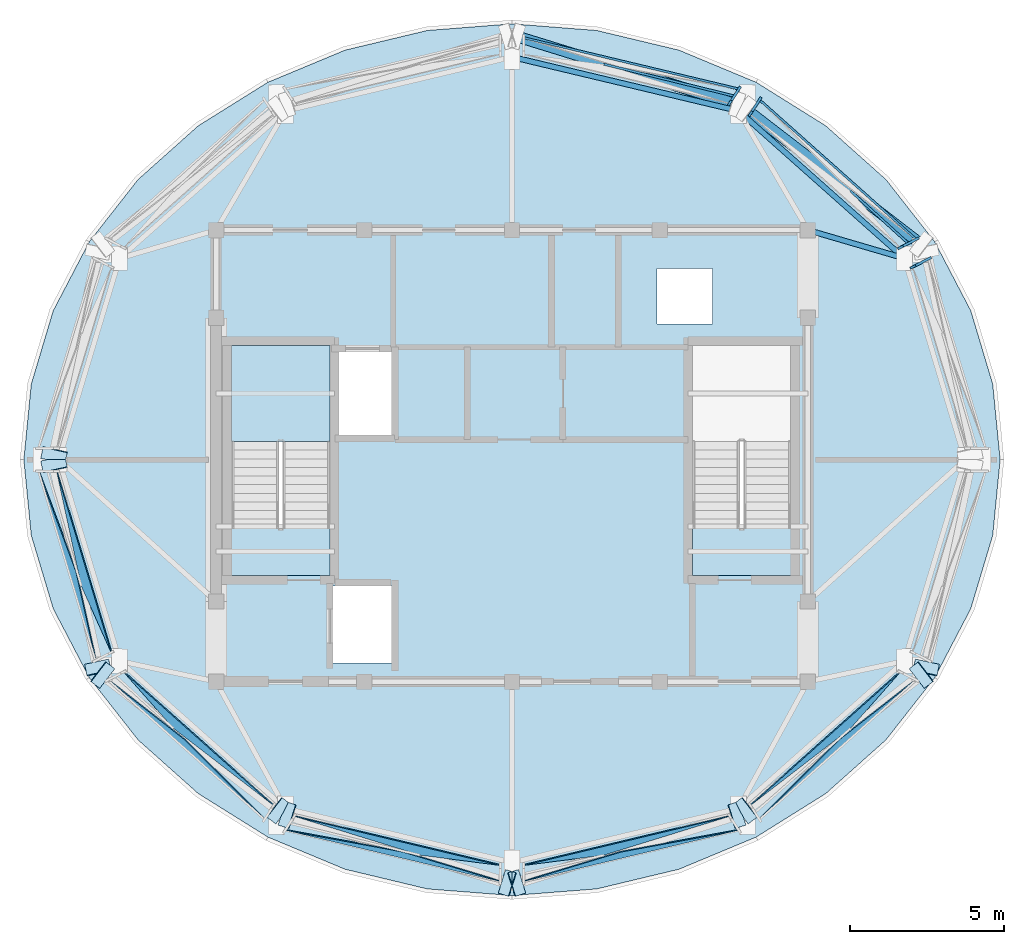
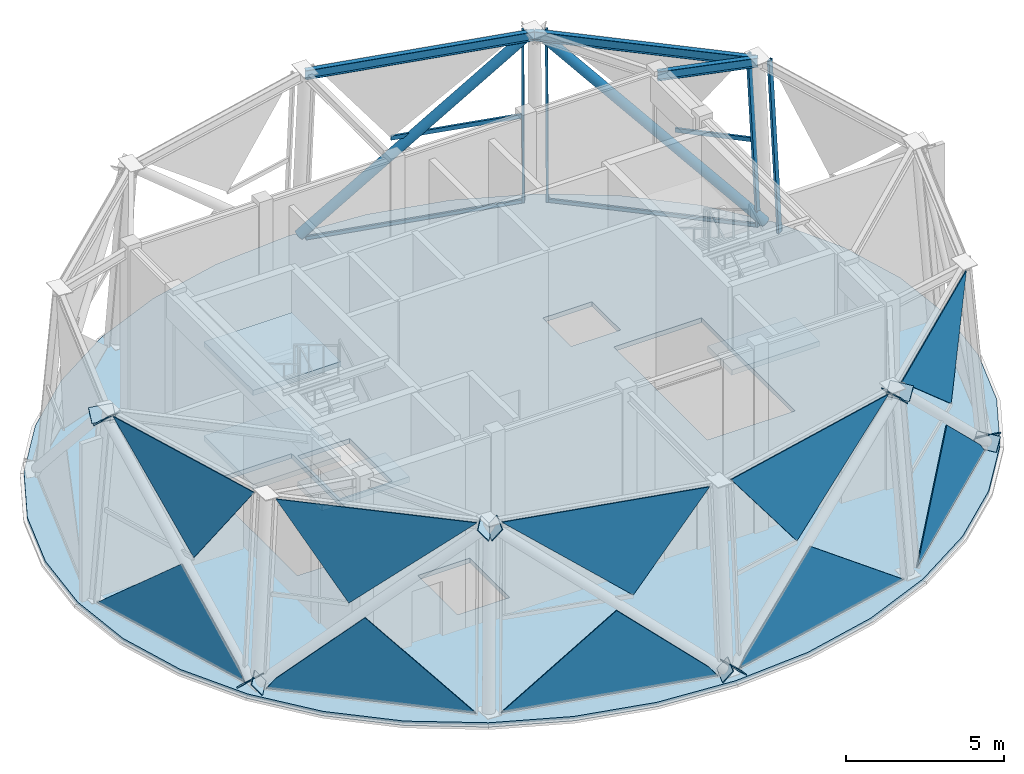
# One storey, part 3 of 8: 22 plates, 10 members, 5 slabs, 3 beams, 10 elements without a shape of their own.
"""IFC4 building model written with IfcOpenShell, lengths in metres."""

from ifc_helpers import new_model, si_unit, direction, frame, origin, origin_2d, place, context, subcontext, project, spatial, polyline, hollow_rectangle, hollow_circle, i_section, outline, extrude, material, layer, layer_set, material_profile, profile_set, type_object, element, aggregate, save


model = new_model("IFC4")

# Units and contexts
model_context = context("Model", 3, precision=1e-05, world=origin(), true_north=direction((0.0, 1.0)))
body_context = subcontext(model_context, "Body", "Model", "MODEL_VIEW")
ifc_project = project(units=[si_unit("LENGTHUNIT", "METRE"), si_unit("AREAUNIT", "SQUARE_METRE"), si_unit("VOLUMEUNIT", "CUBIC_METRE"), si_unit("PLANEANGLEUNIT", "RADIAN"), si_unit("MASSUNIT", "GRAM", prefix="KILO")], contexts=[model_context])

# Site, building, storey
site_placement = place(None, origin())
site = spatial("IfcSite", under=ifc_project, at=site_placement, CompositionType="ELEMENT")
building_placement = place(site_placement, origin())
building = spatial("IfcBuilding", under=site, at=building_placement, Name="Vantalir Tower", CompositionType="ELEMENT")
storey_placement = place(building_placement, frame((0.0, 0.0, 326.25)))
storey = spatial("IfcBuildingStorey", under=building, at=storey_placement, Name="L79", CompositionType="ELEMENT", Elevation=326.25)

# Beams
ifc_material_1 = material(Name="Steel S460", Category="steel")
ifc_material_profile_1 = material_profile(ifc_material_1, i_section(OverallWidth=0.172119140625, OverallDepth=0.35791015625, WebThickness=0.008056640625, FlangeThickness=0.012939453125, at=origin_2d()), Name="Steel S460")
ifc_profile_set_1 = profile_set([ifc_material_profile_1], Name="Steel S460")
beam_type = type_object("IfcBeamType", Name="BM-RB-356x171", PredefinedType="BEAM", material=ifc_profile_set_1)
beam_1_placement = place(storey_placement, frame((44.23095703125, 31.532958984375, 6.89111328125), z_axis=(-0.747351309461, 0.664429093468, 0.0), x_axis=(-0.664429093468, -0.747351309461, 0.0)))
element("IfcBeam", 1, at=beam_1_placement, inside=storey, type_object=beam_type, Name="L79 Circumferential Ring Girder 02", PredefinedType="BEAM", context=body_context, shape_type="SweptSolid", body=[
    extrude(i_section(OverallWidth=0.172119140625, OverallDepth=0.35791015625, WebThickness=0.008056640625, FlangeThickness=0.012939453125, at=origin_2d()), origin(), (0.0, 0.0, 1.0), 7.198486328125),
])
beam_2_placement = place(storey_placement, frame((44.23095703125, 31.532958984375, 6.89111328125), z_axis=(-0.95968424672, 0.281080320546, 0.0), x_axis=(-0.281080320546, -0.95968424672, 0.0)))
element("IfcBeam", 2, at=beam_2_placement, inside=storey, type_object=beam_type, Name="L79 Radial Floor Beam 02", PredefinedType="BEAM", context=body_context, shape_type="SweptSolid", body=[
    extrude(i_section(OverallWidth=0.172119140625, OverallDepth=0.35791015625, WebThickness=0.008056640625, FlangeThickness=0.012939453125, at=origin_2d()), origin(), (0.0, 0.0, 1.0), 3.262451171875),
])
beam_3_placement = place(storey_placement, frame((38.85107421875, 36.31591796875, 6.89111328125), z_axis=(-0.972784718253, 0.231710793733, 0.0), x_axis=(-0.231710793733, -0.972784718253, 0.0)))
element("IfcBeam", 3, at=beam_3_placement, inside=storey, type_object=beam_type, Name="L79 Circumferential Ring Girder 03", PredefinedType="BEAM", context=body_context, shape_type="SweptSolid", body=[
    extrude(i_section(OverallWidth=0.172119140625, OverallDepth=0.35791015625, WebThickness=0.008056640625, FlangeThickness=0.012939453125, at=origin_2d()), origin(), (0.0, 0.0, 1.0), 7.556640625),
])

# Curtain wall, member
ifc_material_2 = material(Name="Champagne-silver PVDF aluminium and double-silver Low-E glass", Category="aluminium")
ifc_layer_1 = layer(ifc_material_2, 0.25)
ifc_layer_set_1 = layer_set([ifc_layer_1], Name="Champagne-silver PVDF aluminium and double-silver Low-E glass")
curtain_wall_type = type_object("IfcCurtainWallType", Name="CW-CROWN-PT", PredefinedType="USERDEFINED", material=ifc_layer_set_1)
curtain_wall_1_placement = place(storey_placement, origin())
curtain_wall_1 = element("IfcCurtainWall", 4, at=curtain_wall_1_placement, inside=storey, type_object=curtain_wall_type, Name="L79 Quilted Pyramid-Diamond Curtain Wall S01", ObjectType="UNITISED CURTAIN WALL", PredefinedType="USERDEFINED")
ifc_material_3 = material(Name="Champagne-silver PVDF aluminium 6063-T6", Category="aluminium")
ifc_material_profile_2 = material_profile(ifc_material_3, hollow_rectangle(XDim=0.080078125, YDim=0.199951171875, WallThickness=0.0048828125, at=origin_2d()), Name="Champagne-silver PVDF aluminium 6063-T6")
ifc_profile_set_2 = profile_set([ifc_material_profile_2], Name="Champagne-silver PVDF aluminium 6063-T6")
member_type_1 = type_object("IfcMemberType", Name="CWM-200x80", PredefinedType="MULLION", material=ifc_profile_set_2)
member_1_placement = place(storey_placement, frame((45.01611328125, 31.51708984375, 0.044921875), z_axis=(-0.072544735514, -0.03744019507, 0.996662176037), x_axis=(0.458621165042, -0.888631884965, 0.0)))
member_1 = element("IfcMember", 5, at=member_1_placement, type_object=member_type_1, Name="CW-L79-S01 Mullion 2", PredefinedType="MULLION", context=body_context, shape_type="SweptSolid", body=[
    extrude(hollow_rectangle(XDim=0.080078125, YDim=0.199951171875, WallThickness=0.0048828125, at=origin_2d()), origin(), (0.0, 0.0, 1.0), 7.00341796875),
])
aggregate(curtain_wall_1, [member_1])

# Curtain wall, members
curtain_wall_2_placement = place(storey_placement, origin())
curtain_wall_2 = element("IfcCurtainWall", 6, at=curtain_wall_2_placement, inside=storey, type_object=curtain_wall_type, Name="L79 Quilted Pyramid-Diamond Curtain Wall S02", ObjectType="UNITISED CURTAIN WALL", PredefinedType="USERDEFINED")
member_2_placement = place(storey_placement, frame((44.613037109375, 32.14892578125, 0.044921875), z_axis=(-0.072544830154, -0.037405383352, 0.996663476262), x_axis=(0.4582838613, -0.888805885709, 0.0)))
member_2 = element("IfcMember", 7, at=member_2_placement, type_object=member_type_1, Name="CW-L79-S02 Mullion 1", PredefinedType="MULLION", context=body_context, shape_type="SweptSolid", body=[
    extrude(hollow_rectangle(XDim=0.080078125, YDim=0.199951171875, WallThickness=0.0048828125, at=origin_2d()), origin(), (0.0, 0.0, 1.0), 7.00341796875),
])
member_3_placement = place(storey_placement, frame((39.530029296875, 36.676025390625, 0.044921875), z_axis=(-0.041847483716, -0.06486359976, 0.997016299532), x_axis=(0.840296648224, -0.542126869822, 0.0)))
member_3 = element("IfcMember", 8, at=member_3_placement, type_object=member_type_1, Name="CW-L79-S02 Mullion 2", PredefinedType="MULLION", context=body_context, shape_type="SweptSolid", body=[
    extrude(hollow_rectangle(XDim=0.080078125, YDim=0.199951171875, WallThickness=0.0048828125, at=origin_2d()), origin(), (0.0, 0.0, 1.0), 7.0009765625),
])

# Curtain wall, member
curtain_wall_3_placement = place(storey_placement, origin())
curtain_wall_3 = element("IfcCurtainWall", 9, at=curtain_wall_3_placement, inside=storey, type_object=curtain_wall_type, Name="L79 Quilted Pyramid-Diamond Curtain Wall S03", ObjectType="UNITISED CURTAIN WALL", PredefinedType="USERDEFINED")
member_4_placement = place(storey_placement, frame((38.860107421875, 37.02490234375, 0.044921875), z_axis=(-0.041882390185, -0.064828778812, 0.997017098565), x_axis=(0.839957858415, -0.542651634188, 0.0)))
member_4 = element("IfcMember", 10, at=member_4_placement, type_object=member_type_1, Name="CW-L79-S03 Mullion 1", PredefinedType="MULLION", context=body_context, shape_type="SweptSolid", body=[
    extrude(hollow_rectangle(XDim=0.080078125, YDim=0.199951171875, WallThickness=0.0048828125, at=origin_2d()), origin(), (0.0, 0.0, 1.0), 7.0009765625),
])

# Member
ifc_material_profile_3 = material_profile(ifc_material_3, hollow_rectangle(XDim=0.070068359375, YDim=0.139892578125, WallThickness=0.00390625, at=origin_2d()), Name="Champagne-silver PVDF aluminium 6063-T6")
ifc_profile_set_3 = profile_set([ifc_material_profile_3], Name="Champagne-silver PVDF aluminium 6063-T6")
member_type_2 = type_object("IfcMemberType", Name="CWT-140x70", PredefinedType="USERDEFINED", material=ifc_profile_set_3)
member_5_placement = place(storey_placement, frame((44.613037109375, 32.14892578125, 0.054931640625), z_axis=(-0.746761864531, 0.665091510758, 0.0), x_axis=(-0.665091510758, -0.746761864531, 0.0)))
member_5 = element("IfcMember", 11, at=member_5_placement, type_object=member_type_2, Name="CW-L79-S02 Sill Transom", ObjectType="TRANSOM", PredefinedType="USERDEFINED", context=body_context, shape_type="SweptSolid", body=[
    extrude(hollow_rectangle(XDim=0.070068359375, YDim=0.139892578125, WallThickness=0.00390625, at=origin_2d()), origin(), (0.0, 0.0, 1.0), 6.806640625),
])

member_6_placement = place(storey_placement, frame((38.860107421875, 37.02490234375, 0.054931640625), z_axis=(-0.972686006205, 0.232124822743, 0.0), x_axis=(-0.232124822743, -0.972686006205, 0.0)))
member_6 = element("IfcMember", 12, at=member_6_placement, type_object=member_type_2, Name="CW-L79-S03 Sill Transom", ObjectType="TRANSOM", PredefinedType="USERDEFINED", context=body_context, shape_type="SweptSolid", body=[
    extrude(hollow_rectangle(XDim=0.070068359375, YDim=0.139892578125, WallThickness=0.00390625, at=origin_2d()), origin(), (0.0, 0.0, 1.0), 7.17724609375),
])

ifc_material_profile_4 = material_profile(ifc_material_3, hollow_rectangle(XDim=0.074951171875, YDim=0.159912109375, WallThickness=0.00390625, at=origin_2d()), Name="Champagne-silver PVDF aluminium 6063-T6")
ifc_profile_set_4 = profile_set([ifc_material_profile_4], Name="Champagne-silver PVDF aluminium 6063-T6")
member_type_3 = type_object("IfcMemberType", Name="CWT-160x75", PredefinedType="USERDEFINED", material=ifc_profile_set_4)
member_7_placement = place(storey_placement, frame((44.35888671875, 32.01806640625, 3.534912109375), z_axis=(-0.740468623895, 0.672090929136, 0.0), x_axis=(-0.672090929136, -0.740468623895, 0.0)))
member_7 = element("IfcMember", 13, at=member_7_placement, type_object=member_type_3, Name="CW-L79-S02 Pyramid Fold Ridge Transom", ObjectType="TRANSOM", PredefinedType="USERDEFINED", context=body_context, shape_type="SweptSolid", body=[
    extrude(hollow_rectangle(XDim=0.074951171875, YDim=0.159912109375, WallThickness=0.00390625, at=origin_2d()), origin(), (0.0, 0.0, 1.0), 2.52783203125),
])

aggregate(curtain_wall_2, [member_2, member_3, member_5, member_7])

member_8_placement = place(storey_placement, frame((38.712890625, 36.798095703125, 3.534912109375), z_axis=(-0.971414807064, 0.237388442465, 0.0), x_axis=(-0.237388442465, -0.971414807064, 0.0)))
member_8 = element("IfcMember", 14, at=member_8_placement, type_object=member_type_3, Name="CW-L79-S03 Pyramid Fold Ridge Transom", ObjectType="TRANSOM", PredefinedType="USERDEFINED", context=body_context, shape_type="SweptSolid", body=[
    extrude(hollow_rectangle(XDim=0.074951171875, YDim=0.159912109375, WallThickness=0.00390625, at=origin_2d()), origin(), (0.0, 0.0, 1.0), 4.35546875),
])

aggregate(curtain_wall_3, [member_4, member_6, member_8])

# Members
ifc_material_profile_5 = material_profile(ifc_material_1, hollow_circle(Radius=0.177490234375, WallThickness=0.02001953125, at=origin_2d()), Name="Steel S460")
ifc_profile_set_5 = profile_set([ifc_material_profile_5], Name="Steel S460")
member_type_4 = type_object("IfcMemberType", Name="MEM-DB-355x20", PredefinedType="BRACE", material=ifc_profile_set_5)
member_9_placement = place(storey_placement, frame((44.77587890625, 31.989013671875, 0.22900390625), z_axis=(-0.583377709266, 0.449466859368, 0.676498330125), x_axis=(-0.610320347749, -0.792154702772, 0.0)))
element("IfcMember", 15, at=member_9_placement, inside=storey, type_object=member_type_4, Name="L79 CROWN FRAME Diagrid Brace R04L", PredefinedType="BRACE", context=body_context, shape_type="SweptSolid", body=[
    extrude(hollow_circle(Radius=0.177490234375, WallThickness=0.02001953125, at=origin_2d()), origin(), (0.0, 0.0, 1.0), 9.77392578125),
])
member_10_placement = place(storey_placement, frame((31.656982421875, 38.73193359375, 0.22607421875), z_axis=(0.714955302841, -0.220729876299, 0.663413322634), x_axis=(0.294993584575, 0.955499233417, 0.0)))
element("IfcMember", 16, at=member_10_placement, inside=storey, type_object=member_type_4, Name="L79 CROWN FRAME Diagrid Brace R10R", PredefinedType="BRACE", context=body_context, shape_type="SweptSolid", body=[
    extrude(hollow_circle(Radius=0.177490234375, WallThickness=0.02001953125, at=origin_2d()), origin(), (0.0, 0.0, 1.0), 9.9755859375),
])

# Curtain wall, plates
curtain_wall_4_placement = place(storey_placement, origin())
curtain_wall_4 = element("IfcCurtainWall", 17, at=curtain_wall_4_placement, inside=storey, type_object=curtain_wall_type, Name="L79 Quilted Pyramid-Diamond Curtain Wall S07", ObjectType="UNITISED CURTAIN WALL", PredefinedType="USERDEFINED")
ifc_material_4 = material(Name="Faceted crown Low-E glass IGU", Category="glass")
ifc_layer_2 = layer(ifc_material_4, 0.033935546875)
ifc_layer_set_2 = layer_set([ifc_layer_2], Name="Faceted crown Low-E glass IGU")
plate_type_1 = type_object("IfcPlateType", Name="CWP-IGU-CRN-34", PredefinedType="CURTAIN_PANEL", material=ifc_layer_set_2)
plate_1_placement = place(storey_placement, frame((16.138916015625, 24.613037109375, 0.0498046875), z_axis=(-0.954985169189, -0.287421823225, 0.073430389916), x_axis=(0.288207882144, -0.957567858551, 0.000113758402)))
plate_1 = element("IfcPlate", 18, at=plate_1_placement, type_object=plate_type_1, Name="CW-L79-S07 Pyramid Diamond Facet 1L", PredefinedType="CURTAIN_PANEL", context=body_context, shape_type="SweptSolid", body=[
    extrude(outline(polyline([(0.0, 0.0), (6.388231504972125, -1.1492543028346347e-17), (6.067526257197486, 0.45953473119229776), (3.4563439934023297, 3.0363627100180595), (0.0, 0.0)])), origin(), (0.0, 0.0, -1.0), 0.033935546875),
])
plate_2_placement = place(storey_placement, frame((18.487060546875, 18.757568359375, 7.019287109375), z_axis=(-0.953948103086, -0.287074365178, 0.087013363784), x_axis=(-0.28815732165, 0.957583074011, 0.00011978273)))
plate_2 = element("IfcPlate", 19, at=plate_2_placement, type_object=plate_type_1, Name="CW-L79-S07 Pyramid Diamond Facet 2U", PredefinedType="CURTAIN_PANEL", context=body_context, shape_type="SweptSolid", body=[
    extrude(outline(polyline([(0.0, 0.0), (6.114586575608529, -1.4203048459560108e-17), (2.3229208721204455, 3.483216169395617), (0.0, 0.0)])), origin(), (0.0, 0.0, -1.0), 0.033935546875),
])
aggregate(curtain_wall_4, [plate_1, plate_2])

curtain_wall_5_placement = place(storey_placement, origin())
curtain_wall_5 = element("IfcCurtainWall", 20, at=curtain_wall_5_placement, inside=storey, type_object=curtain_wall_type, Name="L79 Quilted Pyramid-Diamond Curtain Wall S08", ObjectType="UNITISED CURTAIN WALL", PredefinedType="USERDEFINED")
plate_3_placement = place(storey_placement, frame((18.39794921875, 17.840576171875, 0.05029296875), z_axis=(-0.663369940367, -0.745051349245, 0.06956154976), x_axis=(0.746855439022, -0.664986421907, -0.00010900885)))
plate_3 = element("IfcPlate", 21, at=plate_3_placement, type_object=plate_type_1, Name="CW-L79-S08 Pyramid Diamond Facet 1L", PredefinedType="CURTAIN_PANEL", context=body_context, shape_type="SweptSolid", body=[
    extrude(outline(polyline([(0.0, 0.0), (6.776866405119168, 1.5178830414797062e-17), (3.1478837412558427, 3.036017740318895), (0.3156693683858273, 0.4192565686522217), (0.0, 0.0)])), origin(), (0.0, 0.0, -1.0), 0.033935546875),
])
plate_4_placement = place(storey_placement, frame((23.751708984375, 13.78759765625, 7.020263671875), z_axis=(-0.662658603235, -0.744314420768, 0.082943466259), x_axis=(-0.746894249516, 0.664942830098, -0.000112880743)))
plate_4 = element("IfcPlate", 22, at=plate_4_placement, type_object=plate_type_1, Name="CW-L79-S08 Pyramid Diamond Facet 2U", PredefinedType="CURTAIN_PANEL", context=body_context, shape_type="SweptSolid", body=[
    extrude(outline(polyline([(0.0, 0.0), (6.488457247318149, -3.404394821604484e-17), (4.074993499473188, 3.4822420802691316), (0.0, 0.0)])), origin(), (0.0, 0.0, -1.0), 0.033935546875),
])
aggregate(curtain_wall_5, [plate_3, plate_4])

curtain_wall_6_placement = place(storey_placement, origin())
curtain_wall_6 = element("IfcCurtainWall", 23, at=curtain_wall_6_placement, inside=storey, type_object=curtain_wall_type, Name="L79 Quilted Pyramid-Diamond Curtain Wall S09", ObjectType="UNITISED CURTAIN WALL", PredefinedType="USERDEFINED")
plate_5_placement = place(storey_placement, frame((24.154296875, 12.971435546875, 0.04931640625), z_axis=(-0.231519732009, -0.970586065133, 0.06604016854), x_axis=(0.972711086417, -0.232019680071, 0.000102085378)))
plate_5 = element("IfcPlate", 24, at=plate_5_placement, type_object=plate_type_1, Name="CW-L79-S09 Pyramid Diamond Facet 1L", PredefinedType="CURTAIN_PANEL", context=body_context, shape_type="SweptSolid", body=[
    extrude(outline(polyline([(0.0, 0.0), (7.147699294911774, -9.324138683375338e-18), (6.840096326920463, 0.3932265617337405), (3.8701339111406603, 3.0399298642845127), (0.0, 0.0)])), origin(), (0.0, 0.0, -1.0), 0.033935546875),
])
plate_6_placement = place(storey_placement, frame((31.10693359375, 11.83642578125, 7.019775390625), z_axis=(-0.231254314159, -0.969627135223, 0.079653379228), x_axis=(-0.972715838979, 0.231999752489, 0.00010697806)))
plate_6 = element("IfcPlate", 25, at=plate_6_placement, type_object=plate_type_1, Name="CW-L79-S09 Pyramid Diamond Facet 2U", PredefinedType="CURTAIN_PANEL", context=body_context, shape_type="SweptSolid", body=[
    extrude(outline(polyline([(0.0, 0.0), (6.846468107006452, 3.3176586478056436e-17), (2.5977308855016408, 3.481554981114944), (0.0, 0.0)])), origin(), (0.0, 0.0, -1.0), 0.033935546875),
])
aggregate(curtain_wall_6, [plate_5, plate_6])

curtain_wall_7_placement = place(storey_placement, origin())
curtain_wall_7 = element("IfcCurtainWall", 26, at=curtain_wall_7_placement, inside=storey, type_object=curtain_wall_type, Name="L79 Quilted Pyramid-Diamond Curtain Wall S10", ObjectType="UNITISED CURTAIN WALL", PredefinedType="USERDEFINED")
plate_7_placement = place(storey_placement, frame((31.89306640625, 11.31298828125, 0.050048828125), z_axis=(0.231519732009, -0.970586065133, 0.06604016854), x_axis=(0.972711086417, 0.232019680071, -0.000102085378)))
plate_7 = element("IfcPlate", 27, at=plate_7_placement, type_object=plate_type_1, Name="CW-L79-S10 Pyramid Diamond Facet 1L", PredefinedType="CURTAIN_PANEL", context=body_context, shape_type="SweptSolid", body=[
    extrude(outline(polyline([(0.0, 0.0), (7.147699294911774, 9.324138683375338e-18), (3.277565383771114, 3.0399298642845127), (0.3076029679913119, 0.39322656173374054), (0.0, 0.0)])), origin(), (0.0, 0.0, -1.0), 0.033935546875),
])
plate_8_placement = place(storey_placement, frame((38.552734375, 13.4248046875, 7.0205078125), z_axis=(0.231254314159, -0.969627135223, 0.079653379228), x_axis=(-0.972715838979, -0.231999752489, -0.00010697806)))
plate_8 = element("IfcPlate", 28, at=plate_8_placement, type_object=plate_type_1, Name="CW-L79-S10 Pyramid Diamond Facet 2U", PredefinedType="CURTAIN_PANEL", context=body_context, shape_type="SweptSolid", body=[
    extrude(outline(polyline([(0.0, 0.0), (6.846468107006452, -3.3176586478056436e-17), (4.248737221504811, 3.4815549811149435), (0.0, 0.0)])), origin(), (0.0, 0.0, -1.0), 0.033935546875),
])
aggregate(curtain_wall_7, [plate_7, plate_8])

curtain_wall_8_placement = place(storey_placement, origin())
curtain_wall_8 = element("IfcCurtainWall", 29, at=curtain_wall_8_placement, inside=storey, type_object=curtain_wall_type, Name="L79 Quilted Pyramid-Diamond Curtain Wall S11", ObjectType="UNITISED CURTAIN WALL", PredefinedType="USERDEFINED")
plate_9_placement = place(storey_placement, frame((39.540771484375, 13.333984375, 0.049560546875), z_axis=(0.663369940367, -0.745051349245, 0.06956154976), x_axis=(0.746855439022, 0.664986421907, 0.00010900885)))
plate_9 = element("IfcPlate", 30, at=plate_9_placement, type_object=plate_type_1, Name="CW-L79-S11 Pyramid Diamond Facet 1L", PredefinedType="CURTAIN_PANEL", context=body_context, shape_type="SweptSolid", body=[
    extrude(outline(polyline([(0.0, 0.0), (6.776866405119168, -1.5178830414797062e-17), (6.461197036733341, 0.4192565686522217), (3.628982663863326, 3.0360177403188953), (0.0, 0.0)])), origin(), (0.0, 0.0, -1.0), 0.033935546875),
])
plate_10_placement = place(storey_placement, frame((44.094482421875, 18.10205078125, 7.01953125), z_axis=(0.662658603235, -0.744314420768, 0.082943466259), x_axis=(-0.746894249516, -0.664942830098, 0.000112880743)))
plate_10 = element("IfcPlate", 31, at=plate_10_placement, type_object=plate_type_1, Name="CW-L79-S11 Pyramid Diamond Facet 2U", PredefinedType="CURTAIN_PANEL", context=body_context, shape_type="SweptSolid", body=[
    extrude(outline(polyline([(0.0, 0.0), (6.488457247318149, 3.404394821604484e-17), (2.4134637478449625, 3.4822420802691316), (0.0, 0.0)])), origin(), (0.0, 0.0, -1.0), 0.033935546875),
])
aggregate(curtain_wall_8, [plate_9, plate_10])

# Plates
ifc_layer_3 = layer(ifc_material_1, 0.031982421875)
ifc_layer_set_3 = layer_set([ifc_layer_3], Name="Steel S460")
plate_type_2 = type_object("IfcPlateType", Name="PLT-KN-Z3", PredefinedType="USERDEFINED", material=ifc_layer_set_3)
plate_11_placement = place(storey_placement, frame((16.209228515625, 25.043212890625, 6.667236328125), z_axis=(-0.150702090666, -0.698045981781, 0.700014776407), x_axis=(0.977495129812, -0.21095797125, 7.4563458e-05)))
element("IfcPlate", 32, at=plate_11_placement, inside=storey, type_object=plate_type_2, Name="Node Cap Plate MEM-DG-L79-R16L End", ObjectType="FLANGE_PLATE", PredefinedType="USERDEFINED", context=body_context, shape_type="SweptSolid", body=[
    extrude(outline(polyline([(0.0, 0.0), (0.7999728659477313, 0.0), (0.799895013816016, 0.5199040832740938), (-0.00012935554266502102, 0.520071141934153), (0.0, 0.0)])), origin(), (0.0, 0.0, -1.0), 0.031982421875),
])
plate_12_placement = place(storey_placement, frame((18.124267578125, 17.582275390625, 0.042724609375), z_axis=(0.583322591222, -0.449487644941, 0.676532047738), x_axis=(0.610340479569, 0.792139190323, 4.6396995e-05)))
element("IfcPlate", 33, at=plate_12_placement, inside=storey, type_object=plate_type_2, Name="Node Cap Plate MEM-DG-L79-R22L Start", ObjectType="FLANGE_PLATE", PredefinedType="USERDEFINED", context=body_context, shape_type="SweptSolid", body=[
    extrude(outline(polyline([(0.0, 0.0), (0.8000669670943636, 5.551115123125783e-17), (0.7999093297678471, 0.5201149741735196), (3.575603049606703e-05, 0.5202157768664017), (0.0, 0.0)])), origin(), (0.0, 0.0, -1.0), 0.031982421875),
])
plate_13_placement = place(storey_placement, frame((23.8349609375, 13.182861328125, 6.666015625), z_axis=(0.583250730428, -0.449345709113, 0.676688273252), x_axis=(0.610300473503, 0.792170014607, 0.0)))
element("IfcPlate", 34, at=plate_13_placement, inside=storey, type_object=plate_type_2, Name="Node Cap Plate MEM-DG-L79-R22L End", ObjectType="FLANGE_PLATE", PredefinedType="USERDEFINED", context=body_context, shape_type="SweptSolid", body=[
    extrude(outline(polyline([(0.0, 0.0), (0.8000669689758424, 0.0), (0.7999093278867393, 0.5199351974989693), (-0.00015764108910304442, 0.5199351974989693), (0.0, 0.0)])), origin(), (0.0, 0.0, -1.0), 0.031982421875),
])
plate_14_placement = place(storey_placement, frame((18.414306640625, 18.530517578125, 0.053955078125), z_axis=(-0.150702090666, 0.698045981781, 0.700014776407), x_axis=(-0.977464282597, -0.211100854306, 7.4558656e-05)))
element("IfcPlate", 35, at=plate_14_placement, inside=storey, type_object=plate_type_2, Name="Node Cap Plate MEM-DG-L79-R22R Start", ObjectType="FLANGE_PLATE", PredefinedType="USERDEFINED", context=body_context, shape_type="SweptSolid", body=[
    extrude(outline(polyline([(0.0, 0.0), (0.800024386801022, 0.0), (0.8002108037209938, 0.5199040556821635), (0.00023795521448030928, 0.5200711035837949), (0.0, 0.0)])), origin(), (0.0, 0.0, -1.0), 0.031982421875),
])
plate_15_placement = place(storey_placement, frame((16.9912109375, 25.12548828125, 6.667236328125), z_axis=(-0.150573777087, 0.697956306817, 0.700131795756), x_axis=(-0.977511176598, -0.210883616306, 0.0)))
element("IfcPlate", 36, at=plate_15_placement, inside=storey, type_object=plate_type_2, Name="Node Cap Plate MEM-DG-L79-R22R End", ObjectType="FLANGE_PLATE", PredefinedType="USERDEFINED", context=body_context, shape_type="SweptSolid", body=[
    extrude(outline(polyline([(0.0, 0.0), (0.7999728704859238, 0.0), (0.80010221695147, 0.5200711489170536), (0.00012934646554603468, 0.5200711489170536), (0.0, 0.0)])), origin(), (0.0, 0.0, -1.0), 0.031982421875),
])
plate_16_placement = place(storey_placement, frame((31.94580078125, 10.93798828125, 0.03662109375), z_axis=(0.715005646169, 0.220827358622, 0.663326619118), x_axis=(-0.295093551173, 0.955468364759, 0.0)))
element("IfcPlate", 37, at=plate_16_placement, inside=storey, type_object=plate_type_2, Name="Node Cap Plate MEM-DG-L79-R28L Start", ObjectType="FLANGE_PLATE", PredefinedType="USERDEFINED", context=body_context, shape_type="SweptSolid", body=[
    extrude(outline(polyline([(0.0, 0.0), (0.8000309848745475, 0.0), (0.8000177978576385, 0.5200381565011594), (-1.3187016908985938e-05, 0.5200381565011594), (0.0, 0.0)])), origin(), (0.0, 0.0, -1.0), 0.031982421875),
])
plate_17_placement = place(storey_placement, frame((39.088623046875, 13.14453125, 6.66552734375), z_axis=(0.714788285516, 0.220830757858, 0.663559705884), x_axis=(-0.295179616828, 0.955441779393, 0.0)))
element("IfcPlate", 38, at=plate_17_placement, inside=storey, type_object=plate_type_2, Name="Node Cap Plate MEM-DG-L79-R28L End", ObjectType="FLANGE_PLATE", PredefinedType="USERDEFINED", context=body_context, shape_type="SweptSolid", body=[
    extrude(outline(polyline([(0.0, 0.0), (0.7997977194756183, -2.7755575615628914e-17), (0.7998156053915164, 0.5198554838300895), (1.788591589817201e-05, 0.5198554838300896), (0.0, 0.0)])), origin(), (0.0, 0.0, -1.0), 0.031982421875),
])
plate_18_placement = place(storey_placement, frame((31.290283203125, 11.702392578125, 0.03662109375), z_axis=(-0.715005646169, 0.220827358622, 0.663326619118), x_axis=(-0.295093551173, -0.955468364759, 0.0)))
element("IfcPlate", 39, at=plate_18_placement, inside=storey, type_object=plate_type_2, Name="Node Cap Plate MEM-DG-L79-R28R Start", ObjectType="FLANGE_PLATE", PredefinedType="USERDEFINED", context=body_context, shape_type="SweptSolid", body=[
    extrude(outline(polyline([(0.0, 0.0), (0.8000309848745475, 0.0), (0.8000441718914564, 0.5200381565011594), (1.3187016908985938e-05, 0.5200381565011594), (0.0, 0.0)])), origin(), (0.0, 0.0, -1.0), 0.031982421875),
])
plate_19_placement = place(storey_placement, frame((24.1474609375, 13.90869140625, 6.66552734375), z_axis=(-0.714788285516, 0.220830757858, 0.663559705884), x_axis=(-0.295179616828, -0.955441779393, 0.0)))
element("IfcPlate", 40, at=plate_19_placement, inside=storey, type_object=plate_type_2, Name="Node Cap Plate MEM-DG-L79-R28R End", ObjectType="FLANGE_PLATE", PredefinedType="USERDEFINED", context=body_context, shape_type="SweptSolid", body=[
    extrude(outline(polyline([(0.0, 0.0), (0.7997977194756183, 2.7755575615628914e-17), (0.79977983355972, 0.5198554838300896), (-1.788591589817201e-05, 0.5198554838300896), (0.0, 0.0)])), origin(), (0.0, 0.0, -1.0), 0.031982421875),
])
plate_20_placement = place(storey_placement, frame((45.36767578125, 18.361572265625, 0.053955078125), z_axis=(0.150702090666, 0.698045981781, 0.700014776407), x_axis=(-0.977464282597, 0.211100854306, -7.4558656e-05)))
element("IfcPlate", 41, at=plate_20_placement, inside=storey, type_object=plate_type_2, Name="Node Cap Plate MEM-DG-L79-R34L Start", ObjectType="FLANGE_PLATE", PredefinedType="USERDEFINED", context=body_context, shape_type="SweptSolid", body=[
    extrude(outline(polyline([(0.0, 0.0), (0.800024386801022, 0.0), (0.7997864315865417, 0.5200711035837949), (-0.00018641691997197115, 0.5199040556821635), (0.0, 0.0)])), origin(), (0.0, 0.0, -1.0), 0.031982421875),
])
plate_21_placement = place(storey_placement, frame((44.387451171875, 18.216064453125, 0.042724609375), z_axis=(-0.583322591222, -0.449487644941, 0.676532047738), x_axis=(0.610340479569, -0.792139190323, -4.6396995e-05)))
element("IfcPlate", 42, at=plate_21_placement, inside=storey, type_object=plate_type_2, Name="Node Cap Plate MEM-DG-L79-R34R Start", ObjectType="FLANGE_PLATE", PredefinedType="USERDEFINED", context=body_context, shape_type="SweptSolid", body=[
    extrude(outline(polyline([(0.0, 0.0), (0.8000669670943636, -5.551115123125783e-17), (0.8000312110638675, 0.5202157768664017), (0.0001576373265165053, 0.5201149741735196), (0.0, 0.0)])), origin(), (0.0, 0.0, -1.0), 0.031982421875),
])
plate_22_placement = place(storey_placement, frame((38.6767578125, 13.816650390625, 6.666015625), z_axis=(-0.583250730428, -0.449345709113, 0.676688273252), x_axis=(0.610300473503, -0.792170014607, 0.0)))
element("IfcPlate", 43, at=plate_22_placement, inside=storey, type_object=plate_type_2, Name="Node Cap Plate MEM-DG-L79-R34R End", ObjectType="FLANGE_PLATE", PredefinedType="USERDEFINED", context=body_context, shape_type="SweptSolid", body=[
    extrude(outline(polyline([(0.0, 0.0), (0.8000669689758424, 0.0), (0.8002246100649454, 0.5199351974989692), (0.00015764108910304442, 0.5199351974989693), (0.0, 0.0)])), origin(), (0.0, 0.0, -1.0), 0.031982421875),
])

# Stair, slabs
ifc_material_5 = material(Name="Concrete C40/50", Category="concrete")
stair_type = type_object("IfcStairType", Name="STR-CORE-1450", PredefinedType="HALF_TURN_STAIR", material=ifc_material_5)
stair_1_placement = place(storey_placement, origin())
stair_1 = element("IfcStair", 44, at=stair_1_placement, inside=storey, type_object=stair_type, Name="L79 Core Exit Stair 1", PredefinedType="HALF_TURN_STAIR")
ifc_layer_4 = layer(ifc_material_5, 0.199951171875)
ifc_layer_set_4 = layer_set([ifc_layer_4], Name="Concrete C40/50")
slab_type_1 = type_object("IfcSlabType", Name="SL-LAND-200", PredefinedType="LANDING", material=ifc_layer_set_4)
slab_1_placement = place(storey_placement, frame((0.0, 0.0, 1.612548828125)))
slab_1 = element("IfcSlab", 45, at=slab_1_placement, type_object=slab_type_1, Name="ST1 landing 1", PredefinedType="LANDING", context=body_context, shape_type="SweptSolid", body=[
    extrude(outline(polyline([(25.60009765625, 25.590087890625), (25.60009765625, 28.699951171875), (22.39990234375, 28.699951171875), (22.39990234375, 25.590087890625), (25.60009765625, 25.590087890625)])), origin(), (0.0, 0.0, 1.0), 0.199951171875),
])
slab_2_placement = place(storey_placement, frame((0.0, 0.0, 3.425048828125)))
slab_2 = element("IfcSlab", 46, at=slab_2_placement, type_object=slab_type_1, Name="ST1 landing 2", PredefinedType="LANDING", context=body_context, shape_type="SweptSolid", body=[
    extrude(outline(polyline([(25.60009765625, 21.25), (25.60009765625, 22.7900390625), (22.39990234375, 22.7900390625), (22.39990234375, 21.25), (25.60009765625, 21.25)])), origin(), (0.0, 0.0, 1.0), 0.199951171875),
])
slab_3_placement = place(storey_placement, frame((0.0, 0.0, 5.237548828125)))
slab_3 = element("IfcSlab", 47, at=slab_3_placement, type_object=slab_type_1, Name="ST1 landing 3", PredefinedType="LANDING", context=body_context, shape_type="SweptSolid", body=[
    extrude(outline(polyline([(25.60009765625, 25.590087890625), (25.60009765625, 28.699951171875), (22.39990234375, 28.699951171875), (22.39990234375, 25.590087890625), (25.60009765625, 25.590087890625)])), origin(), (0.0, 0.0, 1.0), 0.199951171875),
])
aggregate(stair_1, [slab_1, slab_2, slab_3])

# Stair, slab
stair_2_placement = place(storey_placement, origin())
stair_2 = element("IfcStair", 48, at=stair_2_placement, inside=storey, type_object=stair_type, Name="L79 Core Exit Stair 2", PredefinedType="HALF_TURN_STAIR")
slab_4_placement = place(storey_placement, frame((0.0, 0.0, 3.425048828125)))
slab_4 = element("IfcSlab", 49, at=slab_4_placement, type_object=slab_type_1, Name="ST2 landing 2", PredefinedType="LANDING", context=body_context, shape_type="SweptSolid", body=[
    extrude(outline(polyline([(40.550048828125, 21.25), (40.550048828125, 22.7900390625), (37.35009765625, 22.7900390625), (37.35009765625, 21.25), (40.550048828125, 21.25)])), origin(), (0.0, 0.0, 1.0), 0.199951171875),
])
aggregate(stair_2, [slab_4])

# Slab
ifc_layer_5 = layer(ifc_material_5, 0.179931640625)
ifc_layer_set_5 = layer_set([ifc_layer_5], Name="Concrete C40/50")
slab_type_2 = type_object("IfcSlabType", Name="SL-TWR-180", PredefinedType="FLOOR", material=ifc_layer_set_5)
slab_5_placement = place(storey_placement, frame((0.0, 0.0, -0.179931640625)))
element("IfcSlab", 50, at=slab_5_placement, inside=storey, type_object=slab_type_2, Name="L79 Primary Structural Slab", PredefinedType="FLOOR", context=body_context, shape_type="SweptSolid", body=[
    extrude(outline(polyline([(43.633056640625, 15.909912109375), (45.216064453125, 17.928955078125), (46.383056640625, 20.1630859375), (47.096923828125, 22.5439453125), (47.337890625, 25.0), (47.096923828125, 27.4560546875), (46.383056640625, 29.8369140625), (45.216064453125, 32.070068359375), (43.633056640625, 34.090087890625), (41.679931640625, 35.8330078125), (39.4189453125, 37.24609375), (36.9169921875, 38.2880859375), (34.25, 38.926025390625), (31.5, 39.14111328125), (28.75, 38.926025390625), (26.0830078125, 38.2880859375), (23.5810546875, 37.24609375), (21.320068359375, 35.8330078125), (19.366943359375, 34.090087890625), (17.783935546875, 32.070068359375), (16.616943359375, 29.8369140625), (15.903076171875, 27.4560546875), (15.662109375, 25.0), (15.903076171875, 22.5439453125), (16.616943359375, 20.1630859375), (17.783935546875, 17.928955078125), (19.366943359375, 15.909912109375), (21.320068359375, 14.1669921875), (23.5810546875, 12.75390625), (26.0830078125, 11.7119140625), (28.75, 11.073974609375), (31.5, 10.85888671875), (34.25, 11.073974609375), (36.9169921875, 11.7119140625), (39.4189453125, 12.75390625), (41.679931640625, 14.1669921875), (43.633056640625, 15.909912109375)]), holes=[polyline([(25.60009765625, 22.7900390625), (22.39990234375, 22.7900390625), (22.39990234375, 28.699951171875), (25.60009765625, 28.699951171875), (25.60009765625, 22.7900390625)]), polyline([(37.35009765625, 22.7900390625), (37.35009765625, 28.699951171875), (40.550048828125, 28.699951171875), (40.550048828125, 22.7900390625), (37.35009765625, 22.7900390625)]), polyline([(25.699951171875, 20.89990234375), (27.60009765625, 20.89990234375), (27.60009765625, 18.39990234375), (25.699951171875, 18.39990234375), (25.699951171875, 20.89990234375)]), polyline([(27.60009765625, 28.5), (27.60009765625, 25.800048828125), (25.699951171875, 25.800048828125), (25.699951171875, 28.5), (27.60009765625, 28.5)]), polyline([(38.0, 29.39990234375), (36.199951171875, 29.39990234375), (36.199951171875, 31.199951171875), (38.0, 31.199951171875), (38.0, 29.39990234375)])]), origin(), (0.0, 0.0, 1.0), 0.179931640625),
])

save(model, "model.ifc")
